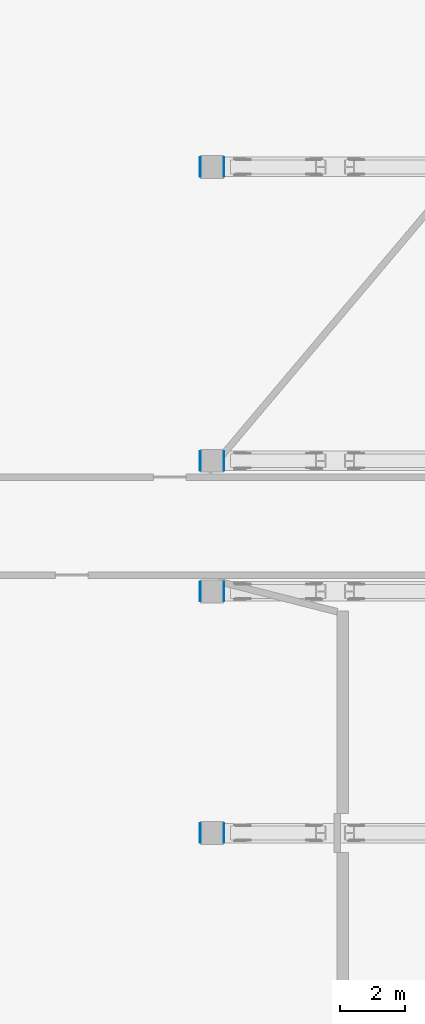
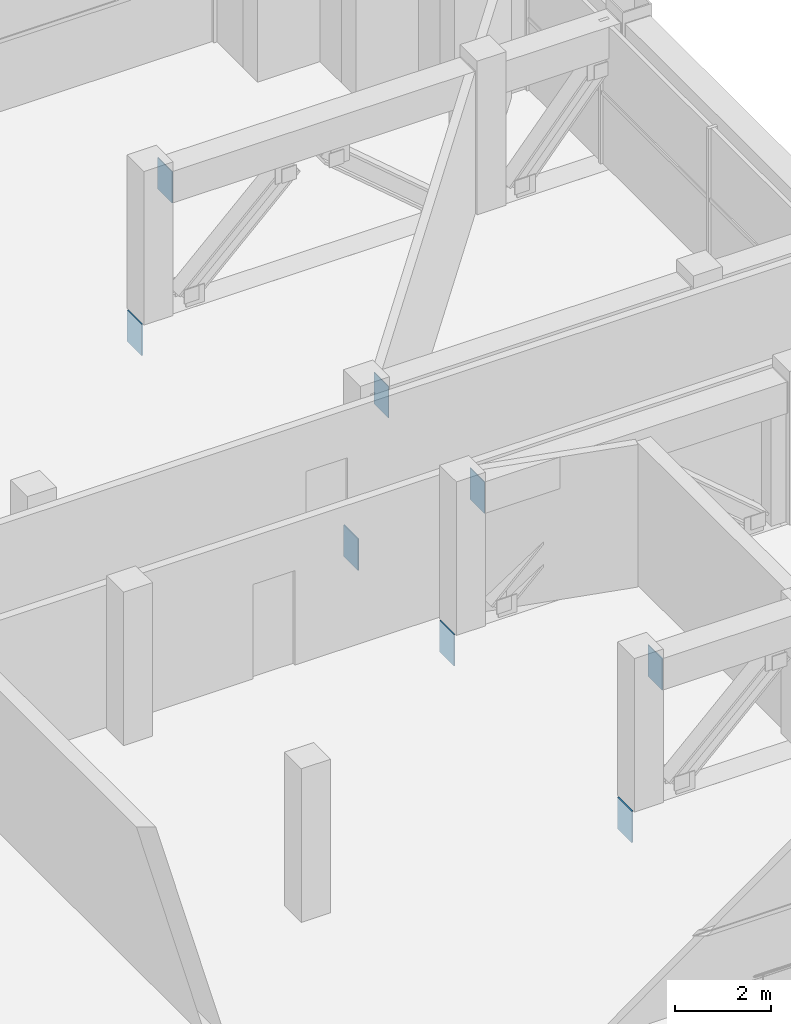
# One storey, part 11 of 21: 8 discrete accessories.
"""IFC4 building model written with IfcOpenShell, lengths in metres."""

import ifcopenshell
import ifcopenshell.guid

model = None  # the IFC model being written
_history = None  # IfcOwnerHistory: only IFC2X3 demands one
_inside = {}  # id of a spatial element -> (the spatial element, [elements in it])
_under = {}  # id of a project, library or spatial element -> (it, [spatial elements below it])
_declared = {}  # id of a project -> (the project, [libraries it declares])
_typed = {}  # id of a type object -> (the type object, [elements of that type])
_made_of = {}  # id of a material, layer set ... -> (it, [elements and type objects made of it])


def new_model(schema):
    """Start an empty IFC model of exactly this schema.

    Asked for "IFC4X3", IfcOpenShell would pick the latest addendum, in which some entities
    have other attributes; the version numbers below select the first issue.
    IFC2X3 requires an IfcOwnerHistory on every rooted entity: one is made here for all.
    """
    global model, _history
    if schema == "IFC4X3":
        model = ifcopenshell.file(schema_version=(4, 3, 0, 0))
    else:
        model = ifcopenshell.file(schema=schema)
    _inside.clear()
    _under.clear()
    _declared.clear()
    _typed.clear()
    _made_of.clear()
    _history = None
    if model.schema == "IFC2X3":
        org = make("IfcOrganization", Name="unknown")
        user = make(
            "IfcPersonAndOrganization",
            ThePerson=make("IfcPerson", FamilyName="unknown"),
            TheOrganization=org,
        )
        app = make(
            "IfcApplication",
            ApplicationDeveloper=org,
            Version="unknown",
            ApplicationFullName="unknown",
            ApplicationIdentifier="unknown",
        )
        _history = make(
            "IfcOwnerHistory",
            OwningUser=user,
            OwningApplication=app,
            ChangeAction="ADDED",
            CreationDate=0,
        )
    return model


def make(cls, **values):
    """One entity of the class cls with the attributes given. An attribute that is None is left unset."""
    return model.create_entity(
        cls, **{name: value for name, value in values.items() if value is not None}
    )


def rooted(cls, **values):
    """An entity with a GlobalId (a new one), such as an element, a storey or a relation."""
    return make(cls, GlobalId=ifcopenshell.guid.new(), OwnerHistory=_history, **values)


def si_unit(unit_type, name, prefix=None):
    """IfcSIUnit, for example si_unit("LENGTHUNIT", "METRE", prefix="MILLI")."""
    return make("IfcSIUnit", UnitType=unit_type, Prefix=prefix, Name=name)


def assignment(units):
    """IfcUnitAssignment: the units of a project."""
    return None if units is None else make("IfcUnitAssignment", Units=units)


def point(xyz):
    """IfcCartesianPoint."""
    return None if xyz is None else make("IfcCartesianPoint", Coordinates=xyz)


def direction(xyz):
    """IfcDirection."""
    return None if xyz is None else make("IfcDirection", DirectionRatios=xyz)


def frame(location, z_axis=None, x_axis=None):
    """IfcAxis2Placement3D, a coordinate frame: its origin and axes. An axis left out is left unset."""
    return make(
        "IfcAxis2Placement3D",
        Location=point(location),
        Axis=direction(z_axis),
        RefDirection=direction(x_axis),
    )


def frame_2d(location, x_axis=None):
    """IfcAxis2Placement2D, a coordinate frame in the plane: its origin and x axis."""
    return make(
        "IfcAxis2Placement2D", Location=point(location), RefDirection=direction(x_axis)
    )


def origin():
    """The frame at (0, 0, 0) with its axes left unset."""
    return frame((0.0, 0.0, 0.0))


def origin_2d():
    """The frame at (0, 0) in the plane with its x axis left unset."""
    return frame_2d((0.0, 0.0))


def place(relative_to, where):
    """IfcLocalPlacement: puts the frame where relative to a parent placement (None: the world)."""
    return make(
        "IfcLocalPlacement", PlacementRelTo=relative_to, RelativePlacement=where
    )


def context(
    kind, dimensions, precision=None, world=None, true_north=None, identifier=None
):
    """IfcGeometricRepresentationContext, for example the 3D "Model" context."""
    return make(
        "IfcGeometricRepresentationContext",
        ContextIdentifier=identifier,
        ContextType=kind,
        CoordinateSpaceDimension=dimensions,
        Precision=precision,
        WorldCoordinateSystem=world,
        TrueNorth=true_north,
    )


def subcontext(parent, identifier, kind, view, scale=None):
    """IfcGeometricRepresentationSubContext, for example "Body" below "Model"."""
    return make(
        "IfcGeometricRepresentationSubContext",
        ContextIdentifier=identifier,
        ContextType=kind,
        ParentContext=parent,
        TargetScale=scale,
        TargetView=view,
    )


def project(units=None, contexts=None):
    """IfcProject with its units and contexts."""
    return rooted(
        "IfcProject",
        Name="project",
        RepresentationContexts=contexts,
        UnitsInContext=assignment(units),
    )


def spatial(cls, under=None, at=None, **own):
    """A site, building, storey or space (cls), placed at a placement, below another one or the project."""
    s = rooted(cls, ObjectPlacement=at, **own)
    if under is not None:
        _under.setdefault(under.id(), (under, []))[1].append(s)
    return s


def profile(cls, at=None, kind="AREA", **sizes):
    """A parametric profile (cls). Its sizes go by their IFC names, for example OverallWidth=200.0."""
    return make(cls, ProfileType=kind, Position=at, **sizes)


def rectangle(**sizes):
    """IfcRectangleProfileDef."""
    return profile("IfcRectangleProfileDef", **sizes)


def extrude(swept, where, along, depth):
    """IfcExtrudedAreaSolid: the profile swept, set in the frame where, extruded along a direction by depth."""
    return make(
        "IfcExtrudedAreaSolid",
        SweptArea=swept,
        Position=where,
        ExtrudedDirection=direction(along),
        Depth=depth,
    )


def shape(context_of_items, identifier, shape_type, items):
    """IfcShapeRepresentation: the items that make up one representation, for example the "Body"."""
    return make(
        "IfcShapeRepresentation",
        ContextOfItems=context_of_items,
        RepresentationIdentifier=identifier,
        RepresentationType=shape_type,
        Items=items,
    )


def made_of(thing, what):
    """Note that an element or type object is made of a material, layer set ...; save() writes the relation."""
    if what is not None:
        _made_of.setdefault(what.id(), (what, []))[1].append(thing)
    return thing


def element(
    cls,
    number,
    at=None,
    inside=None,
    cuts=None,
    type_object=None,
    material=None,
    context=None,
    identifier="Body",
    shape_type=None,
    held_by="IfcProductDefinitionShape",
    body=None,
    shapes=None,
    **own,
):
    """One element of the class cls, such as IfcWall. Its Tag is "e" and its number.

    at: its placement. inside: the storey or other place that contains it. cuts: it is an
    opening in that element (IfcRelVoidsElement). A single representation is given by context,
    identifier, shape_type and body (its items); several are given by shapes. held_by: the class
    of the entity that holds the representations. save() writes the other relations.
    """
    e = rooted(cls, Tag="e%d" % number, ObjectPlacement=at, **own)
    if body is not None:
        shapes = [shape(context, identifier, shape_type, body)]
    if shapes is not None:
        e.Representation = make(held_by, Representations=shapes)
    if inside is not None:
        _inside.setdefault(inside.id(), (inside, []))[1].append(e)
    if cuts is not None:
        rooted(
            "IfcRelVoidsElement", RelatingBuildingElement=cuts, RelatedOpeningElement=e
        )
    if type_object is not None:
        _typed.setdefault(type_object.id(), (type_object, []))[1].append(e)
    return made_of(e, material)


def aggregate(whole, parts):
    """IfcRelAggregates: a whole, such as a stair, and the parts it consists of."""
    return rooted("IfcRelAggregates", RelatingObject=whole, RelatedObjects=parts)


def save(model, path):
    """Write the relations noted so far, then the file.

    IfcRelAggregates (storeys below a building ...), IfcRelContainedInSpatialStructure (elements
    in a storey), IfcRelDefinesByType, IfcRelAssociatesMaterial and IfcRelDeclares: one each for
    every whole, place, type object, material and project.
    """
    for whole, parts in _under.values():
        aggregate(whole, parts)
    for where, things in _inside.values():
        rooted(
            "IfcRelContainedInSpatialStructure",
            RelatedElements=things,
            RelatingStructure=where,
        )
    for kind, things in _typed.values():
        rooted("IfcRelDefinesByType", RelatedObjects=things, RelatingType=kind)
    for what, things in _made_of.values():
        rooted("IfcRelAssociatesMaterial", RelatedObjects=things, RelatingMaterial=what)
    for by, libraries in _declared.values():
        rooted("IfcRelDeclares", RelatingContext=by, RelatedDefinitions=libraries)
    model.write(path)


model = new_model("IFC4")

# Units and contexts
model_context = context("Model", 3, precision=1e-05, world=origin(), true_north=direction((0.0, 1.0)))
body_context = subcontext(model_context, "Body", "Model", "MODEL_VIEW")
ifc_project = project(units=[si_unit("LENGTHUNIT", "METRE"), si_unit("AREAUNIT", "SQUARE_METRE"), si_unit("VOLUMEUNIT", "CUBIC_METRE"), si_unit("PLANEANGLEUNIT", "RADIAN"), si_unit("MASSUNIT", "GRAM", prefix="KILO")], contexts=[model_context])

# Site, building, storey
site_placement = place(None, origin())
site = spatial("IfcSite", under=ifc_project, at=site_placement, CompositionType="ELEMENT")
building_placement = place(site_placement, origin())
building = spatial("IfcBuilding", under=site, at=building_placement, Name="Vidyagriha Tower", CompositionType="ELEMENT")
storey_placement = place(building_placement, frame((0.0, 0.0, 161.39990234375)))
storey = spatial("IfcBuildingStorey", under=building, at=storey_placement, Name="L41", CompositionType="ELEMENT", Elevation=161.39990234375)

# Discrete accessories
for number, where, z_axis, x_axis, name in (
    (1, (25.635009765625, -9.39990234375, -0.7998046875), (0.0, 0.0, 1.0), (-1.0, 0.0, 0.0), "Chord end plate"),
    (2, (25.635009765625, -2.0, -0.7998046875), (0.0, 0.0, 1.0), (-1.0, 0.0, 0.0), "Chord end plate"),
    (3, (25.635009765625, 2.0, -0.7998046875), (0.0, 0.0, 1.0), (-1.0, 0.0, 0.0), "Chord end plate"),
    (4, (25.635009765625, 11.0, -0.7998046875), (0.0, 0.0, 1.0), (-1.0, 0.0, 0.0), "Chord end plate"),
):
    element("IfcDiscreteAccessory", number, at=place(storey_placement, frame(where, z_axis=z_axis, x_axis=x_axis)), inside=storey, Name=name, ObjectType="END PLATE", PredefinedType="USERDEFINED", context=body_context, shape_type="SweptSolid", body=[
        extrude(rectangle(XDim=0.030029296875, YDim=0.60009765625, at=origin_2d()), origin(), (0.0, 0.0, 1.0), 0.800048828125),
    ])
for number, where, z_axis, x_axis, name in (
    (5, (26.35986328125, -9.39990234375, 2.8203125), (0.0, 0.0, 1.0), (-1.0, 0.0, 0.0), "End plate ASTM A572 Grade 50 20mm"),
    (6, (26.35986328125, -2.0, 2.8203125), (0.0, 0.0, 1.0), (-1.0, 0.0, 0.0), "End plate ASTM A572 Grade 50 20mm"),
    (7, (26.35986328125, 2.0, 2.8203125), (0.0, 0.0, 1.0), (-1.0, 0.0, 0.0), "End plate ASTM A572 Grade 50 20mm"),
    (8, (26.35986328125, 11.0, 2.8203125), (0.0, 0.0, 1.0), (-1.0, 0.0, 0.0), "End plate ASTM A572 Grade 50 20mm"),
):
    element("IfcDiscreteAccessory", number, at=place(storey_placement, frame(where, z_axis=z_axis, x_axis=x_axis)), inside=storey, Name=name, ObjectType="END PLATE", PredefinedType="USERDEFINED", context=body_context, shape_type="SweptSolid", body=[
        extrude(rectangle(XDim=0.02001953125, YDim=0.60009765625, at=origin_2d()), origin(), (0.0, 0.0, 1.0), 0.800048828125),
    ])

save(model, "model.ifc")
